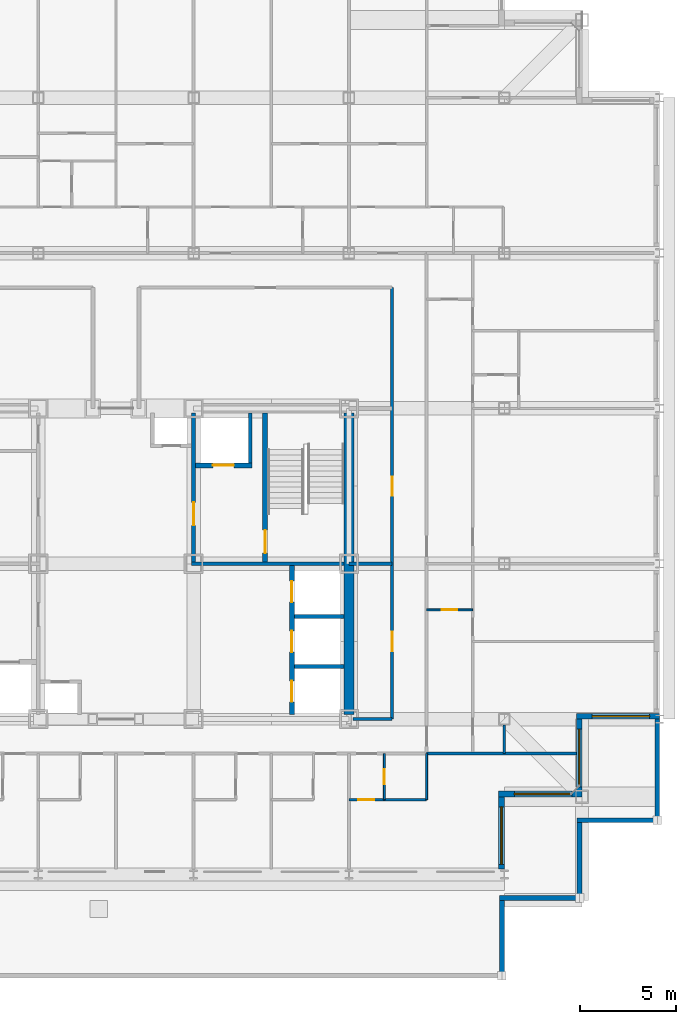
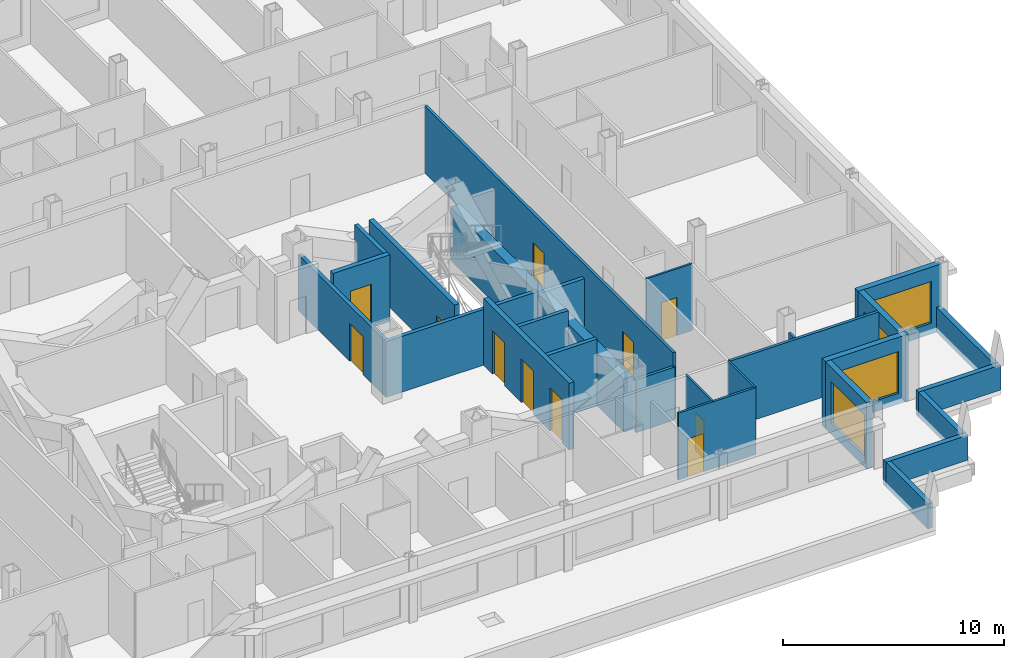
# One storey, part 10 of 15: 27 walls, 11 doors, 4 windows, 15 openings.
"""IFC4 building model written with IfcOpenShell, lengths in metres."""

from ifc_helpers import new_model, si_unit, direction, frame, frame_2d, origin, place, context, subcontext, project, spatial, rectangle, extrude, material, layer, layer_set, type_object, element, fill, save


model = new_model("IFC4")

# Units and contexts
model_context = context("Model", 3, precision=1e-05, world=origin(), true_north=direction((0.0, 1.0)))
body_context = subcontext(model_context, "Body", "Model", "MODEL_VIEW")
ifc_project = project(units=[si_unit("LENGTHUNIT", "METRE"), si_unit("AREAUNIT", "SQUARE_METRE"), si_unit("VOLUMEUNIT", "CUBIC_METRE"), si_unit("PLANEANGLEUNIT", "RADIAN"), si_unit("MASSUNIT", "GRAM", prefix="KILO")], contexts=[model_context])

# Site, building, storey
site_placement = place(None, origin())
site = spatial("IfcSite", under=ifc_project, at=site_placement, CompositionType="ELEMENT")
building_placement = place(site_placement, origin())
building = spatial("IfcBuilding", under=site, at=building_placement, Name="Kopane Lantern Tower", CompositionType="ELEMENT")
storey_placement = place(building_placement, frame((0.0, 0.0, 242.39990234375)))
storey = spatial("IfcBuildingStorey", under=building, at=storey_placement, Name="L62", CompositionType="ELEMENT", Elevation=242.39990234375)

# Wall, opening, door
ifc_material_1 = material(Name="Gypsum board on steel studs", Category="steel")
ifc_layer_1 = layer(ifc_material_1, 0.1201171875)
ifc_layer_set_1 = layer_set([ifc_layer_1], Name="APARTMENT INTERNAL WALL 120")
wall_type_1 = type_object("IfcWallType", Name="APARTMENT INTERNAL WALL 120", PredefinedType="PARTITIONING", material=ifc_layer_set_1)
wall_1_placement = place(storey_placement, frame((40.5, 20.10009765625, 0.0), z_axis=(0.0, 0.0, 1.0), x_axis=(1.0, 0.0, 0.0)))
wall_1 = element("IfcWall", 1, at=wall_1_placement, inside=storey, type_object=wall_type_1, Name="Apartment Internal Wall 120 L62", PredefinedType="PARTITIONING", context=body_context, shape_type="SweptSolid", body=[
    extrude(rectangle(XDim=4.050048828125, YDim=0.1201171875, at=frame_2d((2.02490234375, 0.0))), origin(), (0.0, 0.0, 1.0), 3.690185546875),
])
opening_1_placement = place(wall_1_placement, frame((0.47509765625, 0.0, 0.0)))
opening_1 = element("IfcOpeningElement", 2, at=opening_1_placement, cuts=wall_1, Name="Opening L62-052", PredefinedType="OPENING", context=body_context, shape_type="SweptSolid", body=[
    extrude(rectangle(XDim=0.85009765625, YDim=2.10009765625, at=frame_2d((0.425048828125, 1.050048828125))), frame((0.0, 0.070068359375, 0.0), z_axis=(0.0, -1.0, 0.0), x_axis=(1.0, 0.0, 0.0)), (0.0, 0.0, 1.0), 0.14013671875),
])
ifc_material_2 = material(Name="Timber door set", Category="wood")
door_type_1 = type_object("IfcDoorType", Name="DOOR D4 850x2100", OperationType="SINGLE_SWING_LEFT", PredefinedType="DOOR", material=ifc_material_2)
door_1_placement = place(opening_1_placement, origin())
door_1 = element("IfcDoor", 3, at=door_1_placement, inside=storey, type_object=door_type_1, Name="Door L62-052", OperationType="SINGLE_SWING_LEFT", OverallHeight=2.10009765625, OverallWidth=0.85009765625, PredefinedType="DOOR", context=body_context, shape_type="SweptSolid", body=[
    extrude(rectangle(XDim=0.85009765625, YDim=2.10009765625, at=frame_2d((0.425048828125, 1.050048828125))), frame((0.0, 0.02490234375, 0.0), z_axis=(0.0, -1.0, 0.0), x_axis=(1.0, 0.0, 0.0)), (0.0, 0.0, 1.0), 0.050048828125),
])
fill(opening_1, door_1)

# Wall
wall_2_placement = place(storey_placement, frame((48.60009765625, 22.5, 0.0), z_axis=(0.0, 0.0, 1.0), x_axis=(0.0, 1.0, 0.0)))
element("IfcWall", 4, at=wall_2_placement, inside=storey, type_object=wall_type_1, Name="Apartment Internal Wall 120 L62", PredefinedType="PARTITIONING", context=body_context, shape_type="SweptSolid", body=[
    extrude(rectangle(XDim=1.5, YDim=0.1201171875, at=frame_2d((0.75, 0.0))), origin(), (0.0, 0.0, 1.0), 2.927978515625),
])

# Wall, opening, door
ifc_material_3 = material(Name="Moisture-resistant board on steel studs", Category="steel")
ifc_layer_2 = layer(ifc_material_3, 0.10009765625)
ifc_layer_set_2 = layer_set([ifc_layer_2], Name="BATHROOM WALL 100")
wall_type_2 = type_object("IfcWallType", Name="BATHROOM WALL 100", PredefinedType="PARTITIONING", material=ifc_layer_set_2)
wall_3_placement = place(storey_placement, frame((44.550048828125, 30.0, 0.0), z_axis=(0.0, 0.0, 1.0), x_axis=(1.0, 0.0, 0.0)))
wall_3 = element("IfcWall", 5, at=wall_3_placement, inside=storey, type_object=wall_type_2, Name="Bathroom Wall 100 L62", PredefinedType="PARTITIONING", context=body_context, shape_type="SweptSolid", body=[
    extrude(rectangle(XDim=2.39990234375, YDim=0.10009765625, at=frame_2d((1.199951171875, 0.0))), origin(), (0.0, 0.0, 1.0), 3.690185546875),
])
opening_2_placement = place(wall_3_placement, frame((0.800048828125, 0.0, 0.0)))
opening_2 = element("IfcOpeningElement", 6, at=opening_2_placement, cuts=wall_3, Name="Opening L62-037", PredefinedType="OPENING", context=body_context, shape_type="SweptSolid", body=[
    extrude(rectangle(XDim=0.800048828125, YDim=2.10009765625, at=frame_2d((0.39990234375, 1.050048828125))), frame((0.0, 0.06005859375, 0.0), z_axis=(0.0, -1.0, 0.0), x_axis=(1.0, 0.0, 0.0)), (0.0, 0.0, 1.0), 0.1201171875),
])
ifc_material_4 = material(Name="Timber door set", Category="wood")
door_type_2 = type_object("IfcDoorType", Name="DOOR D2 800x2100", OperationType="SINGLE_SWING_LEFT", PredefinedType="DOOR", material=ifc_material_4)
door_2_placement = place(opening_2_placement, origin())
door_2 = element("IfcDoor", 7, at=door_2_placement, inside=storey, type_object=door_type_2, Name="Door L62-037", OperationType="SINGLE_SWING_LEFT", OverallHeight=2.10009765625, OverallWidth=0.800048828125, PredefinedType="DOOR", context=body_context, shape_type="SweptSolid", body=[
    extrude(rectangle(XDim=0.800048828125, YDim=2.10009765625, at=frame_2d((0.39990234375, 1.050048828125))), frame((0.0, 0.02490234375, 0.0), z_axis=(0.0, -1.0, 0.0), x_axis=(1.0, 0.0, 0.0)), (0.0, 0.0, 1.0), 0.050048828125),
])
fill(opening_2, door_2)

wall_4_placement = place(storey_placement, frame((42.35009765625, 22.5, 0.0), z_axis=(0.0, 0.0, 1.0), x_axis=(0.0, -1.0, 0.0)))
wall_4 = element("IfcWall", 8, at=wall_4_placement, inside=storey, type_object=wall_type_2, Name="Bathroom Wall 100 L62", PredefinedType="PARTITIONING", context=body_context, shape_type="SweptSolid", body=[
    extrude(rectangle(XDim=2.39990234375, YDim=0.10009765625, at=frame_2d((1.199951171875, 0.0))), origin(), (0.0, 0.0, 1.0), 3.690185546875),
])
opening_3_placement = place(wall_4_placement, frame((0.800048828125, 0.0, 0.0)))
opening_3 = element("IfcOpeningElement", 9, at=opening_3_placement, cuts=wall_4, Name="Opening L62-050", PredefinedType="OPENING", context=body_context, shape_type="SweptSolid", body=[
    extrude(rectangle(XDim=0.800048828125, YDim=2.10009765625, at=frame_2d((0.39990234375, 1.050048828125))), frame((0.0, 0.06005859375, 0.0), z_axis=(0.0, -1.0, 0.0), x_axis=(1.0, 0.0, 0.0)), (0.0, 0.0, 1.0), 0.1201171875),
])
door_3_placement = place(opening_3_placement, origin())
door_3 = element("IfcDoor", 10, at=door_3_placement, inside=storey, type_object=door_type_2, Name="Door L62-050", OperationType="SINGLE_SWING_LEFT", OverallHeight=2.10009765625, OverallWidth=0.800048828125, PredefinedType="DOOR", context=body_context, shape_type="SweptSolid", body=[
    extrude(rectangle(XDim=0.800048828125, YDim=2.10009765625, at=frame_2d((0.39990234375, 1.050048828125))), frame((0.0, 0.02490234375, 0.0), z_axis=(0.0, -1.0, 0.0), x_axis=(1.0, 0.0, 0.0)), (0.0, 0.0, 1.0), 0.050048828125),
])
fill(opening_3, door_3)

# Walls
wall_5_placement = place(storey_placement, frame((44.550048828125, 22.5, 0.0), z_axis=(0.0, 0.0, 1.0), x_axis=(0.0, -1.0, 0.0)))
element("IfcWall", 11, at=wall_5_placement, inside=storey, type_object=wall_type_2, Name="Bathroom Wall 100 L62", PredefinedType="PARTITIONING", context=body_context, shape_type="SweptSolid", body=[
    extrude(rectangle(XDim=2.39990234375, YDim=0.10009765625, at=frame_2d((1.199951171875, 0.0))), origin(), (0.0, 0.0, 1.0), 3.690185546875),
])
ifc_material_5 = material(Name="Gypsum shaft wall EI 120", Category="gypsum")
ifc_layer_3 = layer(ifc_material_5, 0.5)
ifc_layer_set_3 = layer_set([ifc_layer_3], Name="CORE PERIMETER WALL 500 EI 120")
wall_type_3 = type_object("IfcWallType", Name="CORE PERIMETER WALL 500 EI 120", PredefinedType="SOLIDWALL", material=ifc_layer_set_3)
wall_6_placement = place(storey_placement, frame((40.5, 24.550048828125, 0.0), z_axis=(0.0, 0.0, 1.0), x_axis=(0.0, 1.0, 0.0)))
element("IfcWall", 12, at=wall_6_placement, inside=storey, type_object=wall_type_3, Name="Core shaft wall L62 PE", PredefinedType="SOLIDWALL", context=body_context, shape_type="SweptSolid", body=[
    extrude(rectangle(XDim=15.699951171875, YDim=0.5, at=frame_2d((7.85009765625, 0.0))), origin(), (0.0, 0.0, 1.0), 2.927978515625),
])

# Wall, openings, doors
ifc_material_6 = material(Name="Gypsum shaft wall EI 120", Category="gypsum")
ifc_layer_4 = layer(ifc_material_6, 0.25)
ifc_layer_set_4 = layer_set([ifc_layer_4], Name="CORE SHAFT WALL 250 EI 120")
wall_type_4 = type_object("IfcWallType", Name="CORE SHAFT WALL 250 EI 120", PredefinedType="SOLIDWALL", material=ifc_layer_set_4)
wall_7_placement = place(storey_placement, frame((37.52490234375, 24.550048828125, 0.0), z_axis=(0.0, 0.0, 1.0), x_axis=(0.0, 1.0, 0.0)))
wall_7 = element("IfcWall", 13, at=wall_7_placement, inside=storey, type_object=wall_type_4, Name="Core shaft wall L62 XLR", PredefinedType="SOLIDWALL", context=body_context, shape_type="SweptSolid", body=[
    extrude(rectangle(XDim=7.75, YDim=0.25, at=frame_2d((3.875, 0.0))), origin(), (0.0, 0.0, 1.0), 3.690185546875),
])
opening_4_placement = place(wall_7_placement, frame((0.64990234375, 0.0, 0.0)))
opening_4 = element("IfcOpeningElement", 14, at=opening_4_placement, cuts=wall_7, Name="Opening 62.LD-LR1", PredefinedType="OPENING", context=body_context, shape_type="SweptSolid", body=[
    extrude(rectangle(XDim=1.10009765625, YDim=2.39990234375, at=frame_2d((0.550048828125, 1.199951171875))), frame((0.0, 0.135009765625, 0.0), z_axis=(0.0, -1.0, 0.0), x_axis=(1.0, 0.0, 0.0)), (0.0, 0.0, 1.0), 0.27001953125),
])
opening_5_placement = place(wall_7_placement, frame((3.25, 0.0, 0.0)))
opening_5 = element("IfcOpeningElement", 15, at=opening_5_placement, cuts=wall_7, Name="Opening 62.LD-LR2", PredefinedType="OPENING", context=body_context, shape_type="SweptSolid", body=[
    extrude(rectangle(XDim=1.10009765625, YDim=2.39990234375, at=frame_2d((0.550048828125, 1.199951171875))), frame((0.0, 0.135009765625, 0.0), z_axis=(0.0, -1.0, 0.0), x_axis=(1.0, 0.0, 0.0)), (0.0, 0.0, 1.0), 0.27001953125),
])
opening_6_placement = place(wall_7_placement, frame((5.85009765625, 0.0, 0.0)))
opening_6 = element("IfcOpeningElement", 16, at=opening_6_placement, cuts=wall_7, Name="Opening 62.LD-LR3", PredefinedType="OPENING", context=body_context, shape_type="SweptSolid", body=[
    extrude(rectangle(XDim=1.10009765625, YDim=2.39990234375, at=frame_2d((0.550048828125, 1.199951171875))), frame((0.0, 0.135009765625, 0.0), z_axis=(0.0, -1.0, 0.0), x_axis=(1.0, 0.0, 0.0)), (0.0, 0.0, 1.0), 0.27001953125),
])
ifc_material_7 = material(Name="Steel door set", Category="steel")
door_type_3 = type_object("IfcDoorType", Name="LIFT LANDING DOOR 1100x2400 FD60", OperationType="DOUBLE_DOOR_SLIDING", PredefinedType="DOOR", material=ifc_material_7)
door_4_placement = place(opening_4_placement, origin())
door_4 = element("IfcDoor", 17, at=door_4_placement, inside=storey, type_object=door_type_3, Name="Landing door LR1 L62", OperationType="DOUBLE_DOOR_SLIDING", OverallHeight=2.39990234375, OverallWidth=1.10009765625, PredefinedType="DOOR", context=body_context, shape_type="SweptSolid", body=[
    extrude(rectangle(XDim=1.10009765625, YDim=2.39990234375, at=frame_2d((0.550048828125, 1.199951171875))), frame((0.0, 0.02490234375, 0.0), z_axis=(0.0, -1.0, 0.0), x_axis=(1.0, 0.0, 0.0)), (0.0, 0.0, 1.0), 0.050048828125),
])
fill(opening_4, door_4)
door_5_placement = place(opening_5_placement, origin())
door_5 = element("IfcDoor", 18, at=door_5_placement, inside=storey, type_object=door_type_3, Name="Landing door LR2 L62", OperationType="DOUBLE_DOOR_SLIDING", OverallHeight=2.39990234375, OverallWidth=1.10009765625, PredefinedType="DOOR", context=body_context, shape_type="SweptSolid", body=[
    extrude(rectangle(XDim=1.10009765625, YDim=2.39990234375, at=frame_2d((0.550048828125, 1.199951171875))), frame((0.0, 0.02490234375, 0.0), z_axis=(0.0, -1.0, 0.0), x_axis=(1.0, 0.0, 0.0)), (0.0, 0.0, 1.0), 0.050048828125),
])
fill(opening_5, door_5)
door_6_placement = place(opening_6_placement, origin())
door_6 = element("IfcDoor", 19, at=door_6_placement, inside=storey, type_object=door_type_3, Name="Landing door LR3 L62", OperationType="DOUBLE_DOOR_SLIDING", OverallHeight=2.39990234375, OverallWidth=1.10009765625, PredefinedType="DOOR", context=body_context, shape_type="SweptSolid", body=[
    extrude(rectangle(XDim=1.10009765625, YDim=2.39990234375, at=frame_2d((0.550048828125, 1.199951171875))), frame((0.0, 0.02490234375, 0.0), z_axis=(0.0, -1.0, 0.0), x_axis=(1.0, 0.0, 0.0)), (0.0, 0.0, 1.0), 0.050048828125),
])
fill(opening_6, door_6)

# Wall, opening, door
wall_8_placement = place(storey_placement, frame((36.125, 32.5, 0.0), z_axis=(0.0, 0.0, 1.0), x_axis=(0.0, 1.0, 0.0)))
wall_8 = element("IfcWall", 20, at=wall_8_placement, inside=storey, type_object=wall_type_4, Name="Core shaft wall L62 XST2", PredefinedType="SOLIDWALL", context=body_context, shape_type="SweptSolid", body=[
    extrude(rectangle(XDim=7.75, YDim=0.25, at=frame_2d((3.875, 0.0))), origin(), (0.0, 0.0, 1.0), 3.690185546875),
])
opening_7_placement = place(wall_8_placement, frame((0.449951171875, 0.0, 0.0)))
opening_7 = element("IfcOpeningElement", 21, at=opening_7_placement, cuts=wall_8, Name="Opening 62.SD2", PredefinedType="OPENING", context=body_context, shape_type="SweptSolid", body=[
    extrude(rectangle(XDim=1.199951171875, YDim=2.10009765625, at=frame_2d((0.60009765625, 1.050048828125))), frame((0.0, 0.135009765625, 0.0), z_axis=(0.0, -1.0, 0.0), x_axis=(1.0, 0.0, 0.0)), (0.0, 0.0, 1.0), 0.27001953125),
])
ifc_material_8 = material(Name="Steel door set", Category="steel")
door_type_4 = type_object("IfcDoorType", Name="STAIR DOOR 1200x2100 FD60S", OperationType="SINGLE_SWING_LEFT", PredefinedType="DOOR", material=ifc_material_8)
door_7_placement = place(opening_7_placement, origin())
door_7 = element("IfcDoor", 22, at=door_7_placement, inside=storey, type_object=door_type_4, Name="Stair door ST2 L62", OperationType="SINGLE_SWING_RIGHT", OverallHeight=2.10009765625, OverallWidth=1.199951171875, PredefinedType="DOOR", context=body_context, shape_type="SweptSolid", body=[
    extrude(rectangle(XDim=1.199951171875, YDim=2.10009765625, at=frame_2d((0.60009765625, 1.050048828125))), frame((0.0, 0.02490234375, 0.0), z_axis=(0.0, -1.0, 0.0), x_axis=(1.0, 0.0, 0.0)), (0.0, 0.0, 1.0), 0.050048828125),
])
fill(opening_7, door_7)

wall_9_placement = place(storey_placement, frame((32.5, 37.52490234375, 0.0), z_axis=(0.0, 0.0, 1.0), x_axis=(1.0, 0.0, 0.0)))
wall_9 = element("IfcWall", 23, at=wall_9_placement, inside=storey, type_object=wall_type_4, Name="Core shaft wall L62 YLF2", PredefinedType="SOLIDWALL", context=body_context, shape_type="SweptSolid", body=[
    extrude(rectangle(XDim=2.949951171875, YDim=0.25, at=frame_2d((1.47509765625, 0.0))), origin(), (0.0, 0.0, 1.0), 3.690185546875),
])
opening_8_placement = place(wall_9_placement, frame((0.89990234375, 0.0, 0.0)))
opening_8 = element("IfcOpeningElement", 24, at=opening_8_placement, cuts=wall_9, Name="Opening 62.LD-LF2", PredefinedType="OPENING", context=body_context, shape_type="SweptSolid", body=[
    extrude(rectangle(XDim=1.10009765625, YDim=2.39990234375, at=frame_2d((0.550048828125, 1.199951171875))), frame((0.0, 0.135009765625, 0.0), z_axis=(0.0, -1.0, 0.0), x_axis=(1.0, 0.0, 0.0)), (0.0, 0.0, 1.0), 0.27001953125),
])
door_8_placement = place(opening_8_placement, origin())
door_8 = element("IfcDoor", 25, at=door_8_placement, inside=storey, type_object=door_type_3, Name="Landing door LF2 L62", OperationType="DOUBLE_DOOR_SLIDING", OverallHeight=2.39990234375, OverallWidth=1.10009765625, PredefinedType="DOOR", context=body_context, shape_type="SweptSolid", body=[
    extrude(rectangle(XDim=1.10009765625, YDim=2.39990234375, at=frame_2d((0.550048828125, 1.199951171875))), frame((0.0, 0.02490234375, 0.0), z_axis=(0.0, -1.0, 0.0), x_axis=(1.0, 0.0, 0.0)), (0.0, 0.0, 1.0), 0.050048828125),
])
fill(opening_8, door_8)

# Wall, openings, doors
ifc_material_9 = material(Name="Gypsum board on steel studs", Category="steel")
ifc_layer_5 = layer(ifc_material_9, 0.14990234375)
ifc_layer_set_5 = layer_set([ifc_layer_5], Name="CORRIDOR WALL 150 EI 60")
wall_type_5 = type_object("IfcWallType", Name="CORRIDOR WALL 150 EI 60", PredefinedType="PARTITIONING", material=ifc_layer_set_5)
wall_10_placement = place(storey_placement, frame((42.75, 24.300048828125, 0.0), z_axis=(0.0, 0.0, 1.0), x_axis=(0.0, 1.0, 0.0)))
wall_10 = element("IfcWall", 26, at=wall_10_placement, inside=storey, type_object=wall_type_5, Name="Corridor Wall 150 Ei 60 L62", PredefinedType="PARTITIONING", context=body_context, shape_type="SweptSolid", body=[
    extrude(rectangle(XDim=22.5, YDim=0.14990234375, at=frame_2d((11.25, 0.0))), origin(), (0.0, 0.0, 1.0), 3.690185546875),
])
opening_9_placement = place(wall_10_placement, frame((3.550048828125, 0.0, 0.0)))
opening_9 = element("IfcOpeningElement", 27, at=opening_9_placement, cuts=wall_10, Name="Opening L62-003", PredefinedType="OPENING", context=body_context, shape_type="SweptSolid", body=[
    extrude(rectangle(XDim=1.0, YDim=2.10009765625, at=frame_2d((0.5, 1.050048828125))), frame((0.0, 0.0849609375, 0.0), z_axis=(0.0, -1.0, 0.0), x_axis=(1.0, 0.0, 0.0)), (0.0, 0.0, 1.0), 0.169921875),
])
opening_10_placement = place(wall_10_placement, frame((11.64990234375, 0.0, 0.0)))
opening_10 = element("IfcOpeningElement", 28, at=opening_10_placement, cuts=wall_10, Name="Opening L62-004", PredefinedType="OPENING", context=body_context, shape_type="SweptSolid", body=[
    extrude(rectangle(XDim=1.0, YDim=2.10009765625, at=frame_2d((0.5, 1.050048828125))), frame((0.0, 0.0849609375, 0.0), z_axis=(0.0, -1.0, 0.0), x_axis=(1.0, 0.0, 0.0)), (0.0, 0.0, 1.0), 0.169921875),
])
ifc_material_10 = material(Name="Steel door set", Category="steel")
door_type_5 = type_object("IfcDoorType", Name="DOOR D5 1000x2100 FD60", OperationType="SINGLE_SWING_LEFT", PredefinedType="DOOR", material=ifc_material_10)
door_9_placement = place(opening_9_placement, origin())
door_9 = element("IfcDoor", 29, at=door_9_placement, inside=storey, type_object=door_type_5, Name="Door L62-003", OperationType="SINGLE_SWING_LEFT", OverallHeight=2.10009765625, OverallWidth=1.0, PredefinedType="DOOR", context=body_context, shape_type="SweptSolid", body=[
    extrude(rectangle(XDim=1.0, YDim=2.10009765625, at=frame_2d((0.5, 1.050048828125))), frame((0.0, 0.02490234375, 0.0), z_axis=(0.0, -1.0, 0.0), x_axis=(1.0, 0.0, 0.0)), (0.0, 0.0, 1.0), 0.050048828125),
])
fill(opening_9, door_9)
door_10_placement = place(opening_10_placement, origin())
door_10 = element("IfcDoor", 30, at=door_10_placement, inside=storey, type_object=door_type_5, Name="Door L62-004", OperationType="SINGLE_SWING_RIGHT", OverallHeight=2.10009765625, OverallWidth=1.0, PredefinedType="DOOR", context=body_context, shape_type="SweptSolid", body=[
    extrude(rectangle(XDim=1.0, YDim=2.10009765625, at=frame_2d((0.5, 1.050048828125))), frame((0.0, 0.02490234375, 0.0), z_axis=(0.0, -1.0, 0.0), x_axis=(1.0, 0.0, 0.0)), (0.0, 0.0, 1.0), 0.050048828125),
])
fill(opening_10, door_10)

# Walls
wall_11_placement = place(storey_placement, frame((40.699951171875, 24.300048828125, 0.0), z_axis=(0.0, 0.0, 1.0), x_axis=(1.0, 0.0, 0.0)))
element("IfcWall", 31, at=wall_11_placement, inside=storey, type_object=wall_type_5, Name="Corridor Wall 150 Ei 60 L62", PredefinedType="PARTITIONING", context=body_context, shape_type="SweptSolid", body=[
    extrude(rectangle(XDim=2.050048828125, YDim=0.14990234375, at=frame_2d((1.02490234375, 0.0))), origin(), (0.0, 0.0, 1.0), 2.927978515625),
])
ifc_material_11 = material(Name="Gypsum board on steel studs", Category="steel")
ifc_layer_6 = layer(ifc_material_11, 0.14990234375)
ifc_layer_set_6 = layer_set([ifc_layer_6], Name="DEMISING WALL 150 EI 60")
wall_type_6 = type_object("IfcWallType", Name="DEMISING WALL 150 EI 60", PredefinedType="PARTITIONING", material=ifc_layer_set_6)
wall_12_placement = place(storey_placement, frame((44.550048828125, 22.5, 0.0), z_axis=(0.0, 0.0, 1.0), x_axis=(1.0, 0.0, 0.0)))
element("IfcWall", 32, at=wall_12_placement, inside=storey, type_object=wall_type_6, Name="Demising Wall 150 Ei 60 L62", PredefinedType="PARTITIONING", context=body_context, shape_type="SweptSolid", body=[
    extrude(rectangle(XDim=7.800048828125, YDim=0.14990234375, at=frame_2d((3.89990234375, 0.0))), origin(), (0.0, 0.0, 1.0), 3.690185546875),
])

# Wall, opening, window
ifc_material_12 = material(Name="Terracotta rainscreen on light steel framing", Category="masonry")
ifc_layer_7 = layer(ifc_material_12, 0.300048828125)
ifc_layer_set_7 = layer_set([ifc_layer_7], Name="EXTERNAL WALL EW1 300 TERRACOTTA")
wall_type_7 = type_object("IfcWallType", Name="EXTERNAL WALL EW1 300 TERRACOTTA", PredefinedType="SOLIDWALL", material=ifc_layer_set_7)
wall_13_placement = place(storey_placement, frame((48.449951171875, 16.5, 0.0), z_axis=(0.0, 0.0, 1.0), x_axis=(0.0, 1.0, 0.0)))
wall_13 = element("IfcWall", 33, at=wall_13_placement, inside=storey, type_object=wall_type_7, Name="External wall E L62", PredefinedType="SOLIDWALL", context=body_context, shape_type="SweptSolid", body=[
    extrude(rectangle(XDim=3.75, YDim=0.300048828125, at=frame_2d((1.875, 0.0))), origin(), (0.0, 0.0, 1.0), 3.690185546875),
])
opening_11_placement = place(wall_13_placement, frame((0.22509765625, 0.0, 0.60009765625)))
opening_11 = element("IfcOpeningElement", 34, at=opening_11_placement, cuts=wall_13, Name="Opening WR300230", PredefinedType="OPENING", context=body_context, shape_type="SweptSolid", body=[
    extrude(rectangle(XDim=3.0, YDim=2.300048828125, at=frame_2d((1.5, 1.14990234375))), frame((0.0, 0.159912109375, 0.0), z_axis=(0.0, -1.0, 0.0), x_axis=(1.0, 0.0, 0.0)), (0.0, 0.0, 1.0), 0.320068359375),
])
ifc_material_13 = material(Name="Aluminium and clear glass", Category="aluminium")
window_type = type_object("IfcWindowType", Name="RIBBON WINDOW WR300230 3000x2300", PartitioningType="SINGLE_PANEL", PredefinedType="WINDOW", material=ifc_material_13)
window_1_placement = place(opening_11_placement, origin())
window_1 = element("IfcWindow", 35, at=window_1_placement, inside=storey, type_object=window_type, Name="Window E L62", OverallHeight=2.300048828125, OverallWidth=3.0, PartitioningType="SINGLE_PANEL", PredefinedType="WINDOW", context=body_context, shape_type="SweptSolid", body=[
    extrude(rectangle(XDim=3.0, YDim=2.300048828125, at=frame_2d((1.5, 1.14990234375))), frame((0.0, 0.030029296875, 0.0), z_axis=(0.0, -1.0, 0.0), x_axis=(1.0, 0.0, 0.0)), (0.0, 0.0, 1.0), 0.06005859375),
])
fill(opening_11, window_1)

wall_14_placement = place(storey_placement, frame((48.300048828125, 20.39990234375, 0.0), z_axis=(0.0, 0.0, 1.0), x_axis=(1.0, 0.0, 0.0)))
wall_14 = element("IfcWall", 36, at=wall_14_placement, inside=storey, type_object=wall_type_7, Name="External wall S L62", PredefinedType="SOLIDWALL", context=body_context, shape_type="SweptSolid", body=[
    extrude(rectangle(XDim=4.349853515625, YDim=0.300048828125, at=frame_2d((2.1748046875, 0.0))), origin(), (0.0, 0.0, 1.0), 3.690185546875),
])
opening_12_placement = place(wall_14_placement, frame((0.824951171875, 0.0, 0.60009765625)))
opening_12 = element("IfcOpeningElement", 37, at=opening_12_placement, cuts=wall_14, Name="Opening WR300230", PredefinedType="OPENING", context=body_context, shape_type="SweptSolid", body=[
    extrude(rectangle(XDim=3.0, YDim=2.300048828125, at=frame_2d((1.5, 1.14990234375))), frame((0.0, 0.159912109375, 0.0), z_axis=(0.0, -1.0, 0.0), x_axis=(1.0, 0.0, 0.0)), (0.0, 0.0, 1.0), 0.320068359375),
])
window_2_placement = place(opening_12_placement, origin())
window_2 = element("IfcWindow", 38, at=window_2_placement, inside=storey, type_object=window_type, Name="Window S L62", OverallHeight=2.300048828125, OverallWidth=3.0, PartitioningType="SINGLE_PANEL", PredefinedType="WINDOW", context=body_context, shape_type="SweptSolid", body=[
    extrude(rectangle(XDim=3.0, YDim=2.300048828125, at=frame_2d((1.5, 1.14990234375))), frame((0.0, 0.030029296875, 0.0), z_axis=(0.0, -1.0, 0.0), x_axis=(1.0, 0.0, 0.0)), (0.0, 0.0, 1.0), 0.06005859375),
])
fill(opening_12, window_2)

wall_15_placement = place(storey_placement, frame((52.5, 20.550048828125, 0.0), z_axis=(0.0, 0.0, 1.0), x_axis=(0.0, 1.0, 0.0)))
wall_15 = element("IfcWall", 39, at=wall_15_placement, inside=storey, type_object=wall_type_7, Name="External wall E L62", PredefinedType="SOLIDWALL", context=body_context, shape_type="SweptSolid", body=[
    extrude(rectangle(XDim=3.75, YDim=0.300048828125, at=frame_2d((1.875, 0.0))), origin(), (0.0, 0.0, 1.0), 3.690185546875),
])
opening_13_placement = place(wall_15_placement, frame((0.22509765625, 0.0, 0.60009765625)))
opening_13 = element("IfcOpeningElement", 40, at=opening_13_placement, cuts=wall_15, Name="Opening WR300230", PredefinedType="OPENING", context=body_context, shape_type="SweptSolid", body=[
    extrude(rectangle(XDim=3.0, YDim=2.300048828125, at=frame_2d((1.5, 1.14990234375))), frame((0.0, 0.159912109375, 0.0), z_axis=(0.0, -1.0, 0.0), x_axis=(1.0, 0.0, 0.0)), (0.0, 0.0, 1.0), 0.320068359375),
])
window_3_placement = place(opening_13_placement, origin())
window_3 = element("IfcWindow", 41, at=window_3_placement, inside=storey, type_object=window_type, Name="Window E L62", OverallHeight=2.300048828125, OverallWidth=3.0, PartitioningType="SINGLE_PANEL", PredefinedType="WINDOW", context=body_context, shape_type="SweptSolid", body=[
    extrude(rectangle(XDim=3.0, YDim=2.300048828125, at=frame_2d((1.5, 1.14990234375))), frame((0.0, 0.030029296875, 0.0), z_axis=(0.0, -1.0, 0.0), x_axis=(1.0, 0.0, 0.0)), (0.0, 0.0, 1.0), 0.06005859375),
])
fill(opening_13, window_3)

wall_16_placement = place(storey_placement, frame((52.35009765625, 24.449951171875, 0.0), z_axis=(0.0, 0.0, 1.0), x_axis=(1.0, 0.0, 0.0)))
wall_16 = element("IfcWall", 42, at=wall_16_placement, inside=storey, type_object=wall_type_7, Name="External wall S L62", PredefinedType="SOLIDWALL", context=body_context, shape_type="SweptSolid", body=[
    extrude(rectangle(XDim=4.349853515625, YDim=0.300048828125, at=frame_2d((2.1748046875, 0.0))), origin(), (0.0, 0.0, 1.0), 3.690185546875),
])
opening_14_placement = place(wall_16_placement, frame((0.824951171875, 0.0, 0.60009765625)))
opening_14 = element("IfcOpeningElement", 43, at=opening_14_placement, cuts=wall_16, Name="Opening WR300230", PredefinedType="OPENING", context=body_context, shape_type="SweptSolid", body=[
    extrude(rectangle(XDim=3.0, YDim=2.300048828125, at=frame_2d((1.5, 1.14990234375))), frame((0.0, 0.159912109375, 0.0), z_axis=(0.0, -1.0, 0.0), x_axis=(1.0, 0.0, 0.0)), (0.0, 0.0, 1.0), 0.320068359375),
])
window_4_placement = place(opening_14_placement, origin())
window_4 = element("IfcWindow", 44, at=window_4_placement, inside=storey, type_object=window_type, Name="Window S L62", OverallHeight=2.300048828125, OverallWidth=3.0, PartitioningType="SINGLE_PANEL", PredefinedType="WINDOW", context=body_context, shape_type="SweptSolid", body=[
    extrude(rectangle(XDim=3.0, YDim=2.300048828125, at=frame_2d((1.5, 1.14990234375))), frame((0.0, 0.030029296875, 0.0), z_axis=(0.0, -1.0, 0.0), x_axis=(1.0, 0.0, 0.0)), (0.0, 0.0, 1.0), 0.06005859375),
])
fill(opening_14, window_4)

# Walls
ifc_material_14 = material(Name="Terracotta rainscreen on light steel framing", Category="masonry")
ifc_layer_8 = layer(ifc_material_14, 0.25)
ifc_layer_set_8 = layer_set([ifc_layer_8], Name="PARAPET PW1 250 TERRACOTTA")
wall_type_8 = type_object("IfcWallType", Name="PARAPET PW1 250 TERRACOTTA", PredefinedType="PARAPET", material=ifc_layer_set_8)
wall_17_placement = place(storey_placement, frame((48.47509765625, 11.050048828125, 0.0), z_axis=(0.0, 0.0, 1.0), x_axis=(0.0, 1.0, 0.0)))
element("IfcWall", 45, at=wall_17_placement, inside=storey, type_object=wall_type_8, Name="Parapet L62", PredefinedType="PARAPET", context=body_context, shape_type="SweptSolid", body=[
    extrude(rectangle(XDim=3.800048828125, YDim=0.25, at=frame_2d((1.89990234375, 0.0))), origin(), (0.0, 0.0, 1.0), 1.380126953125),
])
wall_18_placement = place(storey_placement, frame((48.35009765625, 14.97509765625, 0.0), z_axis=(0.0, 0.0, 1.0), x_axis=(1.0, 0.0, 0.0)))
element("IfcWall", 46, at=wall_18_placement, inside=storey, type_object=wall_type_8, Name="Parapet L62", PredefinedType="PARAPET", context=body_context, shape_type="SweptSolid", body=[
    extrude(rectangle(XDim=4.2998046875, YDim=0.25, at=frame_2d((2.14990234375, 0.0))), origin(), (0.0, 0.0, 1.0), 1.380126953125),
])
wall_19_placement = place(storey_placement, frame((52.52490234375, 15.10009765625, 0.0), z_axis=(0.0, 0.0, 1.0), x_axis=(0.0, 1.0, 0.0)))
element("IfcWall", 47, at=wall_19_placement, inside=storey, type_object=wall_type_8, Name="Parapet L62", PredefinedType="PARAPET", context=body_context, shape_type="SweptSolid", body=[
    extrude(rectangle(XDim=3.7998046875, YDim=0.25, at=frame_2d((1.89990234375, 0.0))), origin(), (0.0, 0.0, 1.0), 1.380126953125),
])
wall_20_placement = place(storey_placement, frame((52.39990234375, 19.02490234375, 0.0), z_axis=(0.0, 0.0, 1.0), x_axis=(1.0, 0.0, 0.0)))
element("IfcWall", 48, at=wall_20_placement, inside=storey, type_object=wall_type_8, Name="Parapet L62", PredefinedType="PARAPET", context=body_context, shape_type="SweptSolid", body=[
    extrude(rectangle(XDim=4.300048828125, YDim=0.25, at=frame_2d((2.14990234375, 0.0))), origin(), (0.0, 0.0, 1.0), 1.380126953125),
])
wall_21_placement = place(storey_placement, frame((56.574951171875, 19.14990234375, 0.0), z_axis=(0.0, 0.0, 1.0), x_axis=(0.0, 1.0, 0.0)))
element("IfcWall", 49, at=wall_21_placement, inside=storey, type_object=wall_type_8, Name="Parapet L62", PredefinedType="PARAPET", context=body_context, shape_type="SweptSolid", body=[
    extrude(rectangle(XDim=5.150146484375, YDim=0.25, at=frame_2d((2.5751953125, 0.0))), origin(), (0.0, 0.0, 1.0), 1.380126953125),
])
ifc_material_15 = material(Name="Concrete masonry", Category="masonry")
ifc_layer_9 = layer(ifc_material_15, 0.199951171875)
ifc_layer_set_9 = layer_set([ifc_layer_9], Name="PLANT ROOM WALL 200 EI 120")
wall_type_9 = type_object("IfcWallType", Name="PLANT ROOM WALL 200 EI 120", PredefinedType="SOLIDWALL", material=ifc_layer_set_9)
wall_22_placement = place(storey_placement, frame((40.5, 32.39990234375, 0.0), z_axis=(0.0, 0.0, 1.0), x_axis=(1.0, 0.0, 0.0)))
element("IfcWall", 50, at=wall_22_placement, inside=storey, type_object=wall_type_9, Name="Plant Room Wall 200 Ei 120 L62", PredefinedType="SOLIDWALL", context=body_context, shape_type="SweptSolid", body=[
    extrude(rectangle(XDim=2.25, YDim=0.199951171875, at=frame_2d((1.125, 0.0))), origin(), (0.0, 0.0, 1.0), 2.927978515625),
])
ifc_material_16 = material(Name="Gypsum shaft wall EI 120", Category="gypsum")
ifc_layer_10 = layer(ifc_material_16, 0.199951171875)
ifc_layer_set_10 = layer_set([ifc_layer_10], Name="SHAFT WALL 200 EI 120")
wall_type_10 = type_object("IfcWallType", Name="SHAFT WALL 200 EI 120", PredefinedType="SOLIDWALL", material=ifc_layer_set_10)
wall_23_placement = place(storey_placement, frame((32.300048828125, 32.39990234375, 0.0), z_axis=(0.0, 0.0, 1.0), x_axis=(1.0, 0.0, 0.0)))
element("IfcWall", 51, at=wall_23_placement, inside=storey, type_object=wall_type_10, Name="Core shaft wall L62 Y324E", PredefinedType="SOLIDWALL", context=body_context, shape_type="SweptSolid", body=[
    extrude(rectangle(XDim=7.949951171875, YDim=0.199951171875, at=frame_2d((3.97509765625, 0.0))), origin(), (0.0, 0.0, 1.0), 3.077880859375),
])

# Wall, opening, door
wall_24_placement = place(storey_placement, frame((32.39990234375, 32.5, 0.0), z_axis=(0.0, 0.0, 1.0), x_axis=(0.0, 1.0, 0.0)))
wall_24 = element("IfcWall", 52, at=wall_24_placement, inside=storey, type_object=wall_type_10, Name="Core shaft wall L62 X324", PredefinedType="SOLIDWALL", context=body_context, shape_type="SweptSolid", body=[
    extrude(rectangle(XDim=7.75, YDim=0.199951171875, at=frame_2d((3.875, 0.0))), origin(), (0.0, 0.0, 1.0), 3.077880859375),
])
opening_15_placement = place(wall_24_placement, frame((1.89990234375, 0.0, 0.0)))
opening_15 = element("IfcOpeningElement", 53, at=opening_15_placement, cuts=wall_24, Name="Opening 62.FL2", PredefinedType="OPENING", context=body_context, shape_type="SweptSolid", body=[
    extrude(rectangle(XDim=1.199951171875, YDim=2.10009765625, at=frame_2d((0.60009765625, 1.050048828125))), frame((0.0, 0.10986328125, 0.0), z_axis=(0.0, -1.0, 0.0), x_axis=(1.0, 0.0, 0.0)), (0.0, 0.0, 1.0), 0.219970703125),
])
ifc_material_17 = material(Name="Steel door set", Category="steel")
door_type_6 = type_object("IfcDoorType", Name="FIREFIGHTING LOBBY DOOR 1200x2100 FD60S", OperationType="SINGLE_SWING_RIGHT", PredefinedType="DOOR", material=ifc_material_17)
door_11_placement = place(opening_15_placement, origin())
door_11 = element("IfcDoor", 54, at=door_11_placement, inside=storey, type_object=door_type_6, Name="Firefighting lobby door FL2 L62", OperationType="SINGLE_SWING_LEFT", OverallHeight=2.10009765625, OverallWidth=1.199951171875, PredefinedType="DOOR", context=body_context, shape_type="SweptSolid", body=[
    extrude(rectangle(XDim=1.199951171875, YDim=2.10009765625, at=frame_2d((0.60009765625, 1.050048828125))), frame((0.0, 0.02490234375, 0.0), z_axis=(0.0, -1.0, 0.0), x_axis=(1.0, 0.0, 0.0)), (0.0, 0.0, 1.0), 0.050048828125),
])
fill(opening_15, door_11)

# Walls
for number, where, z_axis, x_axis, name in (
    (55, (37.64990234375, 27.050048828125, 0.0), (0.0, 0.0, 1.0), (1.0, 0.0, 0.0), "Core shaft wall L62 YLR12"),
    (56, (37.64990234375, 29.64990234375, 0.0), (0.0, 0.0, 1.0), (1.0, 0.0, 0.0), "Core shaft wall L62 YLR23"),
    (57, (35.35009765625, 37.64990234375, 0.0), (0.0, 0.0, 1.0), (0.0, 1.0, 0.0), "Core shaft wall L62 XLF2"),
):
    element("IfcWall", number, at=place(storey_placement, frame(where, z_axis=z_axis, x_axis=x_axis)), inside=storey, type_object=wall_type_10, Name=name, PredefinedType="SOLIDWALL", context=body_context, shape_type="SweptSolid", body=[
        extrude(rectangle(XDim=2.60009765625, YDim=0.199951171875, at=frame_2d((1.300048828125, 0.0))), origin(), (0.0, 0.0, 1.0), 3.690185546875),
    ])

save(model, "model.ifc")
